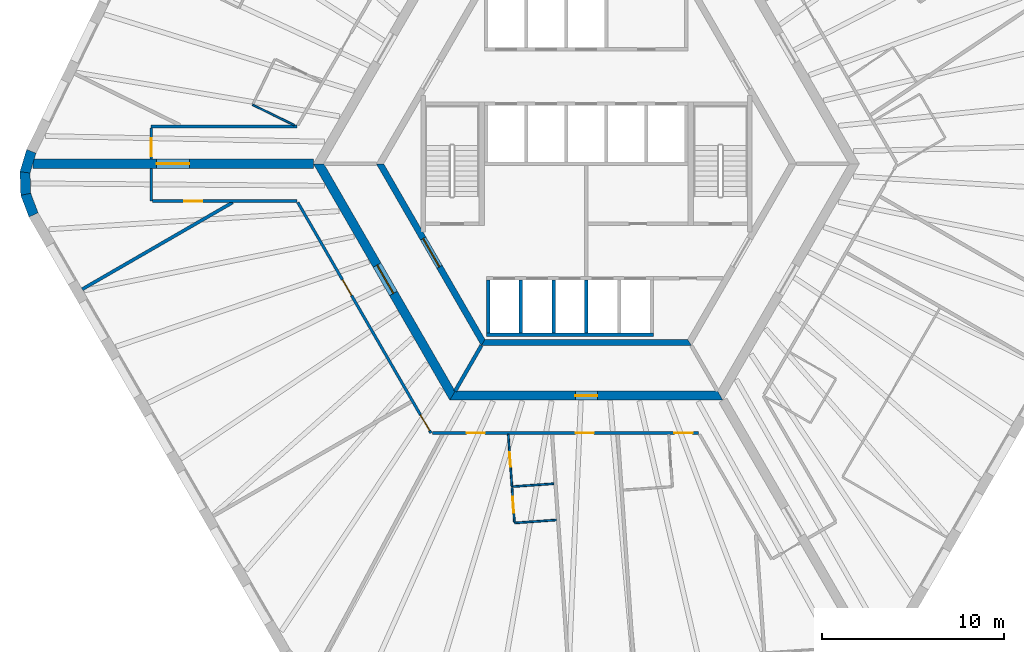
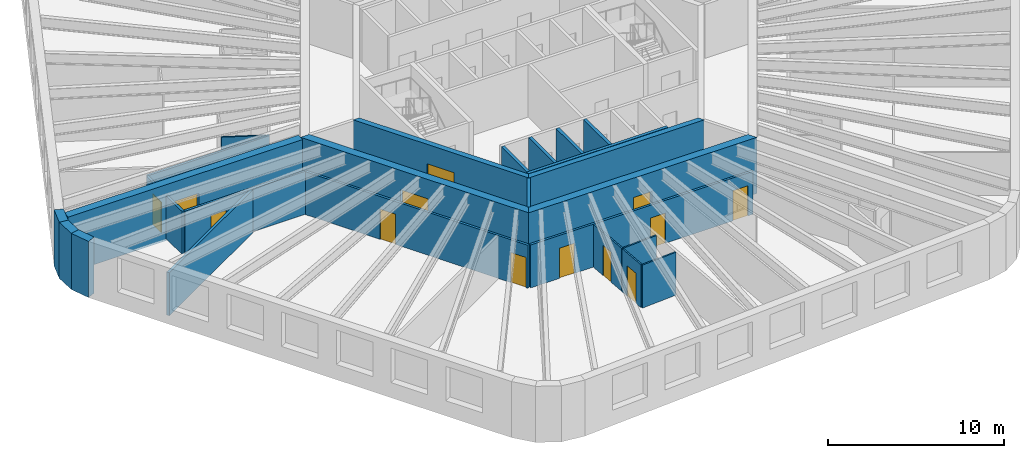
# One storey, part 3 of 9: 26 walls, 13 doors, 13 openings.
"""IFC4 building model written with IfcOpenShell, lengths in metres."""

from ifc_helpers import new_model, si_unit, direction, frame, frame_2d, origin, place, context, subcontext, project, spatial, polyline, rectangle, outline, extrude, material, layer, layer_set, type_object, element, fill, save


model = new_model("IFC4")

# Units and contexts
model_context = context("Model", 3, precision=1e-05, world=origin(), true_north=direction((0.0, 1.0)))
body_context = subcontext(model_context, "Body", "Model", "MODEL_VIEW")
ifc_project = project(units=[si_unit("LENGTHUNIT", "METRE"), si_unit("AREAUNIT", "SQUARE_METRE"), si_unit("VOLUMEUNIT", "CUBIC_METRE"), si_unit("PLANEANGLEUNIT", "RADIAN"), si_unit("MASSUNIT", "GRAM", prefix="KILO")], contexts=[model_context])

# Site, building, storey
site_placement = place(None, origin())
site = spatial("IfcSite", under=ifc_project, at=site_placement, CompositionType="ELEMENT")
building_placement = place(site_placement, origin())
building = spatial("IfcBuilding", under=site, at=building_placement, Name="Tarnside Tower", CompositionType="ELEMENT")
storey_placement = place(building_placement, frame((0.0, 0.0, 222.89990234375)))
storey = spatial("IfcBuildingStorey", under=building, at=storey_placement, Name="L53", CompositionType="ELEMENT", Elevation=222.89990234375)

# Wall
ifc_material_1 = material(Name="Gypsum board partition on steel studs", Category="steel")
ifc_layer_1 = layer(ifc_material_1, 0.10009765625)
ifc_layer_set_1 = layer_set([ifc_layer_1], Name="Bathroom wall 100")
wall_type_1 = type_object("IfcWallType", Name="Bathroom wall 100", PredefinedType="PARTITIONING", material=ifc_layer_set_1)
wall_1_placement = place(storey_placement, frame((-16.059814453125, 2.125, 0.0), z_axis=(0.0, 0.0, 1.0), x_axis=(-0.898792392919, 0.438374536704, 0.0)))
element("IfcWall", 1, at=wall_1_placement, inside=storey, type_object=wall_type_1, Name="Bathroom wall 17060", PredefinedType="PARTITIONING", context=body_context, shape_type="SweptSolid", body=[
    extrude(rectangle(XDim=2.54736328125, YDim=0.10009765625, at=frame_2d((1.273681640625, 0.0))), origin(), (0.0, 0.0, 1.0), 2.98779296875),
])

# Wall, opening, door
wall_2_placement = place(storey_placement, frame((-4.089599609375, -17.751953125, 0.0), z_axis=(0.0, 0.0, 1.0), x_axis=(-0.06975499513, 0.997564153654, 0.0)))
wall_2 = element("IfcWall", 2, at=wall_2_placement, inside=storey, type_object=wall_type_1, Name="Bathroom wall 17069", PredefinedType="PARTITIONING", context=body_context, shape_type="SweptSolid", body=[
    extrude(rectangle(XDim=2.884033203125, YDim=0.10009765625, at=frame_2d((1.44189453125, 0.0))), origin(), (0.0, 0.0, 1.0), 2.98779296875),
])
opening_1_placement = place(wall_2_placement, frame((1.10009765625, 0.0, 0.0)))
opening_1 = element("IfcOpeningElement", 3, at=opening_1_placement, cuts=wall_2, Name="Opening D-B1", PredefinedType="OPENING", context=body_context, shape_type="SweptSolid", body=[
    extrude(rectangle(XDim=0.800048828125, YDim=2.10009765625, at=frame_2d((0.39990234375, 1.050048828125))), frame((0.0, 0.06005859375, 0.0), z_axis=(0.0, -1.0, 0.0), x_axis=(1.0, 0.0, 0.0)), (0.0, 0.0, 1.0), 0.1201171875),
])
ifc_material_2 = material(Name="Timber door leaf", Category="wood")
door_type_1 = type_object("IfcDoorType", Name="Bathroom door 800", OperationType="NOTDEFINED", PredefinedType="DOOR", material=ifc_material_2)
door_1_placement = place(opening_1_placement, origin())
door_1 = element("IfcDoor", 4, at=door_1_placement, inside=storey, type_object=door_type_1, Name="Bathroom door 17017", OperationType="SINGLE_SWING_LEFT", OverallHeight=2.10009765625, OverallWidth=0.800048828125, PredefinedType="DOOR", context=body_context, shape_type="SweptSolid", body=[
    extrude(rectangle(XDim=0.800048828125, YDim=2.10009765625, at=frame_2d((0.39990234375, 1.050048828125))), frame((0.0, 0.02490234375, 0.0), z_axis=(0.0, -1.0, 0.0), x_axis=(1.0, 0.0, 0.0)), (0.0, 0.0, 1.0), 0.050048828125),
])
fill(opening_1, door_1)

# Wall
wall_3_placement = place(storey_placement, frame((-4.039794921875, -17.74853515625, 0.0), z_axis=(0.0, 0.0, 1.0), x_axis=(0.997562351999, 0.069780755754, 0.0)))
element("IfcWall", 5, at=wall_3_placement, inside=storey, type_object=wall_type_1, Name="Bathroom wall 17073", PredefinedType="PARTITIONING", context=body_context, shape_type="SweptSolid", body=[
    extrude(rectangle(XDim=2.26025390625, YDim=0.10009765625, at=frame_2d((1.130126953125, 0.0))), origin(), (0.0, 0.0, 1.0), 2.98779296875),
])

# Wall, opening, door
ifc_material_3 = material(Name="Concrete C50/60", Category="concrete")
ifc_layer_2 = layer(ifc_material_3, 0.35009765625)
ifc_layer_set_2 = layer_set([ifc_layer_2], Name="Core block wall 350 C50/60")
wall_type_2 = type_object("IfcWallType", Name="Core block wall 350 C50/60", PredefinedType="SHEAR", material=ifc_layer_set_2)
wall_4_placement = place(storey_placement, frame((-11.344970703125, 0.0, -0.14990234375), z_axis=(0.0, 0.0, 1.0), x_axis=(0.499995046907, -0.866028263435, 0.0)))
wall_4 = element("IfcWall", 6, at=wall_4_placement, inside=storey, type_object=wall_type_2, Name="L53 core block wall face 3", PredefinedType="SHEAR", context=body_context, shape_type="SweptSolid", body=[
    extrude(outline(polyline([(-0.10107421875, -0.175048828125), (11.44580078125, -0.175048828125), (11.24365234375, 0.175048828125), (0.10107421875, 0.175048828125), (-0.10107421875, -0.175048828125)])), origin(), (0.0, 0.0, 1.0), 3.89990234375),
])
opening_2_placement = place(wall_4_placement, frame((4.74365234375, 0.0, 0.14990234375)))
opening_2 = element("IfcOpeningElement", 7, at=opening_2_placement, cuts=wall_4, Name="Opening CD-FFL", PredefinedType="OPENING", context=body_context, shape_type="SweptSolid", body=[
    extrude(rectangle(XDim=1.800048828125, YDim=2.39990234375, at=frame_2d((0.89990234375, 1.199951171875))), frame((0.0, 0.18505859375, 0.0), z_axis=(0.0, -1.0, 0.0), x_axis=(1.0, 0.0, 0.0)), (0.0, 0.0, 1.0), 0.3701171875),
])
ifc_material_4 = material(Name="Steel fire door", Category="steel")
door_type_2 = type_object("IfcDoorType", Name="Firefighting lobby double door FD60S 1800x2400", OperationType="NOTDEFINED", PredefinedType="DOOR", material=ifc_material_4)
door_2_placement = place(opening_2_placement, origin())
door_2 = element("IfcDoor", 8, at=door_2_placement, inside=storey, type_object=door_type_2, Name="L53 lobby block door P3", OperationType="DOUBLE_DOOR_SINGLE_SWING", OverallHeight=2.39990234375, OverallWidth=1.800048828125, PredefinedType="DOOR", context=body_context, shape_type="SweptSolid", body=[
    extrude(rectangle(XDim=1.800048828125, YDim=2.39990234375, at=frame_2d((0.89990234375, 1.199951171875))), frame((0.0, 0.02490234375, 0.0), z_axis=(0.0, -1.0, 0.0), x_axis=(1.0, 0.0, 0.0)), (0.0, 0.0, 1.0), 0.050048828125),
])
fill(opening_2, door_2)

# Wall
wall_5_placement = place(storey_placement, frame((-5.672607421875, -9.824951171875, -0.14990234375), z_axis=(0.0, 0.0, 1.0), x_axis=(1.0, 0.0, 0.0)))
element("IfcWall", 9, at=wall_5_placement, inside=storey, type_object=wall_type_2, Name="L53 core block wall face 4", PredefinedType="SHEAR", context=body_context, shape_type="SweptSolid", body=[
    extrude(outline(polyline([(-0.10107421875, -0.175048828125), (11.4462890625, -0.175048828125), (11.244140625, 0.175048828125), (0.10107421875, 0.175048828125), (-0.10107421875, -0.175048828125)])), origin(), (0.0, 0.0, 1.0), 3.89990234375),
])

# Wall, opening, door
ifc_material_5 = material(Name="Concrete C70/85", Category="concrete")
ifc_layer_3 = layer(ifc_material_5, 0.5)
ifc_layer_set_3 = layer_set([ifc_layer_3], Name="Core wall Z2 500 C70/85")
wall_type_3 = type_object("IfcWallType", Name="Core wall Z2 500 C70/85", PredefinedType="SHEAR", material=ifc_layer_set_3)
wall_6_placement = place(storey_placement, frame((-14.722412109375, 0.0, -0.14990234375), z_axis=(0.0, 0.0, 1.0), x_axis=(0.50000571537, -0.866022103989, 0.0)))
wall_6 = element("IfcWall", 10, at=wall_6_placement, inside=storey, type_object=wall_type_3, Name="L53 core wall face 3", PredefinedType="SHEAR", context=body_context, shape_type="SweptSolid", body=[
    extrude(outline(polyline([(-0.144287109375, -0.25), (14.86669921875, -0.25), (14.578125, 0.25), (0.144287109375, 0.25), (-0.144287109375, -0.25)])), origin(), (0.0, 0.0, 1.0), 3.89990234375),
])
opening_3_placement = place(wall_6_placement, frame((6.432373046875, 0.0, 0.14990234375)))
opening_3 = element("IfcOpeningElement", 11, at=opening_3_placement, cuts=wall_6, Name="Opening CD-FFL", PredefinedType="OPENING", context=body_context, shape_type="SweptSolid", body=[
    extrude(rectangle(XDim=1.800048828125, YDim=2.39990234375, at=frame_2d((0.89990234375, 1.199951171875))), frame((0.0, 0.260009765625, 0.0), z_axis=(0.0, -1.0, 0.0), x_axis=(1.0, 0.0, 0.0)), (0.0, 0.0, 1.0), 0.52001953125),
])
door_3_placement = place(opening_3_placement, origin())
door_3 = element("IfcDoor", 12, at=door_3_placement, inside=storey, type_object=door_type_2, Name="L53 core door P3", OperationType="DOUBLE_DOOR_SINGLE_SWING", OverallHeight=2.39990234375, OverallWidth=1.800048828125, PredefinedType="DOOR", context=body_context, shape_type="SweptSolid", body=[
    extrude(rectangle(XDim=1.800048828125, YDim=2.39990234375, at=frame_2d((0.89990234375, 1.199951171875))), frame((0.0, 0.02490234375, 0.0), z_axis=(0.0, -1.0, 0.0), x_axis=(1.0, 0.0, 0.0)), (0.0, 0.0, 1.0), 0.050048828125),
])
fill(opening_3, door_3)

wall_7_placement = place(storey_placement, frame((-7.361083984375, -12.75, -0.14990234375), z_axis=(0.0, 0.0, 1.0), x_axis=(1.0, 0.0, 0.0)))
wall_7 = element("IfcWall", 13, at=wall_7_placement, inside=storey, type_object=wall_type_3, Name="L53 core wall face 4", PredefinedType="SHEAR", context=body_context, shape_type="SweptSolid", body=[
    extrude(outline(polyline([(-0.144287109375, -0.25), (14.866455078125, -0.25), (14.577880859375, 0.25), (0.144287109375, 0.25), (-0.144287109375, -0.25)])), origin(), (0.0, 0.0, 1.0), 3.89990234375),
])
opening_4_placement = place(wall_7_placement, frame((6.76123046875, 0.0, 0.14990234375)))
opening_4 = element("IfcOpeningElement", 14, at=opening_4_placement, cuts=wall_7, Name="Opening CD-RSR", PredefinedType="OPENING", context=body_context, shape_type="SweptSolid", body=[
    extrude(rectangle(XDim=1.199951171875, YDim=2.39990234375, at=frame_2d((0.60009765625, 1.199951171875))), frame((0.0, 0.260009765625, 0.0), z_axis=(0.0, -1.0, 0.0), x_axis=(1.0, 0.0, 0.0)), (0.0, 0.0, 1.0), 0.52001953125),
])
door_type_3 = type_object("IfcDoorType", Name="Riser door FD60 1200x2400", OperationType="NOTDEFINED", PredefinedType="DOOR", material=ifc_material_4)
door_4_placement = place(opening_4_placement, origin())
door_4 = element("IfcDoor", 15, at=door_4_placement, inside=storey, type_object=door_type_3, Name="L53 core door S6", OperationType="SINGLE_SWING_LEFT", OverallHeight=2.39990234375, OverallWidth=1.199951171875, PredefinedType="DOOR", context=body_context, shape_type="SweptSolid", body=[
    extrude(rectangle(XDim=1.199951171875, YDim=2.39990234375, at=frame_2d((0.60009765625, 1.199951171875))), frame((0.0, 0.02490234375, 0.0), z_axis=(0.0, -1.0, 0.0), x_axis=(1.0, 0.0, 0.0)), (0.0, 0.0, 1.0), 0.050048828125),
])
fill(opening_4, door_4)

wall_8_placement = place(storey_placement, frame((-15.010986328125, 0.0, -0.14990234375), z_axis=(0.0, 0.0, 1.0), x_axis=(-1.0, 0.0, 0.0)))
wall_8 = element("IfcWall", 16, at=wall_8_placement, inside=storey, type_object=wall_type_3, Name="L53 spine wall 2", PredefinedType="SHEAR", context=body_context, shape_type="SweptSolid", body=[
    extrude(rectangle(XDim=15.423828125, YDim=0.5, at=frame_2d((7.7119140625, 0.0))), origin(), (0.0, 0.0, 1.0), 3.89990234375),
])
opening_5_placement = place(wall_8_placement, frame((6.811767578125, 0.0, 0.14990234375)))
opening_5 = element("IfcOpeningElement", 17, at=opening_5_placement, cuts=wall_8, Name="Opening CD-SPN", PredefinedType="OPENING", context=body_context, shape_type="SweptSolid", body=[
    extrude(rectangle(XDim=1.800048828125, YDim=2.39990234375, at=frame_2d((0.89990234375, 1.199951171875))), frame((0.0, 0.260009765625, 0.0), z_axis=(0.0, -1.0, 0.0), x_axis=(1.0, 0.0, 0.0)), (0.0, 0.0, 1.0), 0.52001953125),
])
door_type_4 = type_object("IfcDoorType", Name="Spine passage double door FD60 1800x2400", OperationType="NOTDEFINED", PredefinedType="DOOR", material=ifc_material_4)
door_5_placement = place(opening_5_placement, origin())
door_5 = element("IfcDoor", 18, at=door_5_placement, inside=storey, type_object=door_type_4, Name="L53 spine passage door 2", OperationType="DOUBLE_DOOR_SINGLE_SWING", OverallHeight=2.39990234375, OverallWidth=1.800048828125, PredefinedType="DOOR", context=body_context, shape_type="SweptSolid", body=[
    extrude(rectangle(XDim=1.800048828125, YDim=2.39990234375, at=frame_2d((0.89990234375, 1.199951171875))), frame((0.0, 0.02490234375, 0.0), z_axis=(0.0, -1.0, 0.0), x_axis=(1.0, 0.0, 0.0)), (0.0, 0.0, 1.0), 0.050048828125),
])
fill(opening_5, door_5)

# Wall
ifc_layer_4 = layer(ifc_material_1, 0.14990234375)
ifc_layer_set_4 = layer_set([ifc_layer_4], Name="Corridor wall 150 EI 60")
wall_type_4 = type_object("IfcWallType", Name="Corridor wall 150 EI 60", PredefinedType="PARTITIONING", material=ifc_layer_set_4)
wall_9_placement = place(storey_placement, frame((-15.906005859375, 2.050048828125, 0.0), z_axis=(0.0, 0.0, 1.0), x_axis=(-1.0, 0.0, 0.0)))
element("IfcWall", 19, at=wall_9_placement, inside=storey, type_object=wall_type_4, Name="Corridor wall 17012", PredefinedType="PARTITIONING", context=body_context, shape_type="SweptSolid", body=[
    extrude(rectangle(XDim=8.016845703125, YDim=0.14990234375, at=frame_2d((4.00830078125, 0.0))), origin(), (0.0, 0.0, 1.0), 2.98779296875),
])

# Wall, opening, door
wall_10_placement = place(storey_placement, frame((-23.9228515625, 1.97509765625, 0.0), z_axis=(0.0, 0.0, 1.0), x_axis=(0.0, -1.0, 0.0)))
wall_10 = element("IfcWall", 20, at=wall_10_placement, inside=storey, type_object=wall_type_4, Name="Corridor wall 17016", PredefinedType="PARTITIONING", context=body_context, shape_type="SweptSolid", body=[
    extrude(rectangle(XDim=1.72509765625, YDim=0.14990234375, at=frame_2d((0.862548828125, 0.0))), origin(), (0.0, 0.0, 1.0), 2.98779296875),
])
opening_6_placement = place(wall_10_placement, frame((0.574951171875, 0.0, 0.0)))
opening_6 = element("IfcOpeningElement", 21, at=opening_6_placement, cuts=wall_10, Name="Opening D-E1", PredefinedType="OPENING", context=body_context, shape_type="SweptSolid", body=[
    extrude(rectangle(XDim=1.0, YDim=2.10009765625, at=frame_2d((0.5, 1.050048828125))), frame((0.0, 0.0849609375, 0.0), z_axis=(0.0, -1.0, 0.0), x_axis=(1.0, 0.0, 0.0)), (0.0, 0.0, 1.0), 0.169921875),
])
door_type_5 = type_object("IfcDoorType", Name="Unit entrance door 1000 FD30S", OperationType="NOTDEFINED", PredefinedType="DOOR", material=ifc_material_2)
door_6_placement = place(opening_6_placement, origin())
door_6 = element("IfcDoor", 22, at=door_6_placement, inside=storey, type_object=door_type_5, Name="Unit door 17012", OperationType="SINGLE_SWING_LEFT", OverallHeight=2.10009765625, OverallWidth=1.0, PredefinedType="DOOR", context=body_context, shape_type="SweptSolid", body=[
    extrude(rectangle(XDim=1.0, YDim=2.10009765625, at=frame_2d((0.5, 1.050048828125))), frame((0.0, 0.02490234375, 0.0), z_axis=(0.0, -1.0, 0.0), x_axis=(1.0, 0.0, 0.0)), (0.0, 0.0, 1.0), 0.050048828125),
])
fill(opening_6, door_6)

# Wall
wall_11_placement = place(storey_placement, frame((-23.9228515625, -0.25, 0.0), z_axis=(0.0, 0.0, 1.0), x_axis=(0.0, -1.0, 0.0)))
element("IfcWall", 23, at=wall_11_placement, inside=storey, type_object=wall_type_4, Name="Corridor wall 17017", PredefinedType="PARTITIONING", context=body_context, shape_type="SweptSolid", body=[
    extrude(rectangle(XDim=1.800048828125, YDim=0.14990234375, at=frame_2d((0.89990234375, 0.0))), origin(), (0.0, 0.0, 1.0), 2.98779296875),
])

# Wall, opening, door
wall_12_placement = place(storey_placement, frame((-23.847900390625, -2.050048828125, 0.0), z_axis=(0.0, 0.0, 1.0), x_axis=(1.0, 0.0, 0.0)))
wall_12 = element("IfcWall", 24, at=wall_12_placement, inside=storey, type_object=wall_type_4, Name="Corridor wall 17018", PredefinedType="PARTITIONING", context=body_context, shape_type="SweptSolid", body=[
    extrude(rectangle(XDim=7.94189453125, YDim=0.14990234375, at=frame_2d((3.970947265625, 0.0))), origin(), (0.0, 0.0, 1.0), 2.98779296875),
])
opening_7_placement = place(wall_12_placement, frame((1.72900390625, 0.0, 0.0)))
opening_7 = element("IfcOpeningElement", 25, at=opening_7_placement, cuts=wall_12, Name="Opening D-E1", PredefinedType="OPENING", context=body_context, shape_type="SweptSolid", body=[
    extrude(rectangle(XDim=1.0, YDim=2.10009765625, at=frame_2d((0.5, 1.050048828125))), frame((0.0, 0.0849609375, 0.0), z_axis=(0.0, -1.0, 0.0), x_axis=(1.0, 0.0, 0.0)), (0.0, 0.0, 1.0), 0.169921875),
])
door_7_placement = place(opening_7_placement, origin())
door_7 = element("IfcDoor", 26, at=door_7_placement, inside=storey, type_object=door_type_5, Name="Unit door 17013", OperationType="SINGLE_SWING_RIGHT", OverallHeight=2.10009765625, OverallWidth=1.0, PredefinedType="DOOR", context=body_context, shape_type="SweptSolid", body=[
    extrude(rectangle(XDim=1.0, YDim=2.10009765625, at=frame_2d((0.5, 1.050048828125))), frame((0.0, 0.02490234375, 0.0), z_axis=(0.0, -1.0, 0.0), x_axis=(1.0, 0.0, 0.0)), (0.0, 0.0, 1.0), 0.050048828125),
])
fill(opening_7, door_7)

# Wall, openings, doors
wall_13_placement = place(storey_placement, frame((-15.86279296875, -2.125, 0.0), z_axis=(0.0, 0.0, 1.0), x_axis=(0.500008833422, -0.866020303746, 0.0)))
wall_13 = element("IfcWall", 27, at=wall_13_placement, inside=storey, type_object=wall_type_4, Name="Corridor wall 17020", PredefinedType="PARTITIONING", context=body_context, shape_type="SweptSolid", body=[
    extrude(rectangle(XDim=14.635986328125, YDim=0.14990234375, at=frame_2d((7.31787109375, 0.0))), origin(), (0.0, 0.0, 1.0), 2.98779296875),
])
opening_8_placement = place(wall_13_placement, frame((4.908935546875, 0.0, 0.0)))
opening_8 = element("IfcOpeningElement", 28, at=opening_8_placement, cuts=wall_13, Name="Opening D-E1", PredefinedType="OPENING", context=body_context, shape_type="SweptSolid", body=[
    extrude(rectangle(XDim=1.0, YDim=2.10009765625, at=frame_2d((0.5, 1.050048828125))), frame((0.0, 0.0849609375, 0.0), z_axis=(0.0, -1.0, 0.0), x_axis=(1.0, 0.0, 0.0)), (0.0, 0.0, 1.0), 0.169921875),
])
opening_9_placement = place(wall_13_placement, frame((13.48583984375, 0.0, 0.0)))
opening_9 = element("IfcOpeningElement", 29, at=opening_9_placement, cuts=wall_13, Name="Opening D-E1", PredefinedType="OPENING", context=body_context, shape_type="SweptSolid", body=[
    extrude(rectangle(XDim=1.0, YDim=2.10009765625, at=frame_2d((0.5, 1.050048828125))), frame((0.0, 0.0849609375, 0.0), z_axis=(0.0, -1.0, 0.0), x_axis=(1.0, 0.0, 0.0)), (0.0, 0.0, 1.0), 0.169921875),
])
door_8_placement = place(opening_8_placement, origin())
door_8 = element("IfcDoor", 30, at=door_8_placement, inside=storey, type_object=door_type_5, Name="Unit door 17014", OperationType="SINGLE_SWING_RIGHT", OverallHeight=2.10009765625, OverallWidth=1.0, PredefinedType="DOOR", context=body_context, shape_type="SweptSolid", body=[
    extrude(rectangle(XDim=1.0, YDim=2.10009765625, at=frame_2d((0.5, 1.050048828125))), frame((0.0, 0.02490234375, 0.0), z_axis=(0.0, -1.0, 0.0), x_axis=(1.0, 0.0, 0.0)), (0.0, 0.0, 1.0), 0.050048828125),
])
fill(opening_8, door_8)
door_9_placement = place(opening_9_placement, origin())
door_9 = element("IfcDoor", 31, at=door_9_placement, inside=storey, type_object=door_type_5, Name="Unit door 17015", OperationType="SINGLE_SWING_LEFT", OverallHeight=2.10009765625, OverallWidth=1.0, PredefinedType="DOOR", context=body_context, shape_type="SweptSolid", body=[
    extrude(rectangle(XDim=1.0, YDim=2.10009765625, at=frame_2d((0.5, 1.050048828125))), frame((0.0, 0.02490234375, 0.0), z_axis=(0.0, -1.0, 0.0), x_axis=(1.0, 0.0, 0.0)), (0.0, 0.0, 1.0), 0.050048828125),
])
fill(opening_9, door_9)

wall_14_placement = place(storey_placement, frame((-8.458251953125, -14.800048828125, 0.0), z_axis=(0.0, 0.0, 1.0), x_axis=(1.0, 0.0, 0.0)))
wall_14 = element("IfcWall", 32, at=wall_14_placement, inside=storey, type_object=wall_type_4, Name="Corridor wall 17022", PredefinedType="PARTITIONING", context=body_context, shape_type="SweptSolid", body=[
    extrude(rectangle(XDim=14.635986328125, YDim=0.14990234375, at=frame_2d((7.31787109375, 0.0))), origin(), (0.0, 0.0, 1.0), 2.98779296875),
])
opening_10_placement = place(wall_14_placement, frame((1.88134765625, 0.0, 0.0)))
opening_10 = element("IfcOpeningElement", 33, at=opening_10_placement, cuts=wall_14, Name="Opening D-E1", PredefinedType="OPENING", context=body_context, shape_type="SweptSolid", body=[
    extrude(rectangle(XDim=1.0, YDim=2.10009765625, at=frame_2d((0.5, 1.050048828125))), frame((0.0, 0.0849609375, 0.0), z_axis=(0.0, -1.0, 0.0), x_axis=(1.0, 0.0, 0.0)), (0.0, 0.0, 1.0), 0.169921875),
])
opening_11_placement = place(wall_14_placement, frame((7.872314453125, 0.0, 0.0)))
opening_11 = element("IfcOpeningElement", 34, at=opening_11_placement, cuts=wall_14, Name="Opening D-E1", PredefinedType="OPENING", context=body_context, shape_type="SweptSolid", body=[
    extrude(rectangle(XDim=1.0, YDim=2.10009765625, at=frame_2d((0.5, 1.050048828125))), frame((0.0, 0.0849609375, 0.0), z_axis=(0.0, -1.0, 0.0), x_axis=(1.0, 0.0, 0.0)), (0.0, 0.0, 1.0), 0.169921875),
])
opening_12_placement = place(wall_14_placement, frame((13.302978515625, 0.0, 0.0)))
opening_12 = element("IfcOpeningElement", 35, at=opening_12_placement, cuts=wall_14, Name="Opening D-E1", PredefinedType="OPENING", context=body_context, shape_type="SweptSolid", body=[
    extrude(rectangle(XDim=1.0, YDim=2.10009765625, at=frame_2d((0.5, 1.050048828125))), frame((0.0, 0.0849609375, 0.0), z_axis=(0.0, -1.0, 0.0), x_axis=(1.0, 0.0, 0.0)), (0.0, 0.0, 1.0), 0.169921875),
])
door_10_placement = place(opening_10_placement, origin())
door_10 = element("IfcDoor", 36, at=door_10_placement, inside=storey, type_object=door_type_5, Name="Unit door 17016", OperationType="SINGLE_SWING_LEFT", OverallHeight=2.10009765625, OverallWidth=1.0, PredefinedType="DOOR", context=body_context, shape_type="SweptSolid", body=[
    extrude(rectangle(XDim=1.0, YDim=2.10009765625, at=frame_2d((0.5, 1.050048828125))), frame((0.0, 0.02490234375, 0.0), z_axis=(0.0, -1.0, 0.0), x_axis=(1.0, 0.0, 0.0)), (0.0, 0.0, 1.0), 0.050048828125),
])
fill(opening_10, door_10)
door_11_placement = place(opening_11_placement, origin())
door_11 = element("IfcDoor", 37, at=door_11_placement, inside=storey, type_object=door_type_5, Name="Unit door 17019", OperationType="SINGLE_SWING_RIGHT", OverallHeight=2.10009765625, OverallWidth=1.0, PredefinedType="DOOR", context=body_context, shape_type="SweptSolid", body=[
    extrude(rectangle(XDim=1.0, YDim=2.10009765625, at=frame_2d((0.5, 1.050048828125))), frame((0.0, 0.02490234375, 0.0), z_axis=(0.0, -1.0, 0.0), x_axis=(1.0, 0.0, 0.0)), (0.0, 0.0, 1.0), 0.050048828125),
])
fill(opening_11, door_11)
door_12_placement = place(opening_12_placement, origin())
door_12 = element("IfcDoor", 38, at=door_12_placement, inside=storey, type_object=door_type_5, Name="Unit door 17020", OperationType="SINGLE_SWING_RIGHT", OverallHeight=2.10009765625, OverallWidth=1.0, PredefinedType="DOOR", context=body_context, shape_type="SweptSolid", body=[
    extrude(rectangle(XDim=1.0, YDim=2.10009765625, at=frame_2d((0.5, 1.050048828125))), frame((0.0, 0.02490234375, 0.0), z_axis=(0.0, -1.0, 0.0), x_axis=(1.0, 0.0, 0.0)), (0.0, 0.0, 1.0), 0.050048828125),
])
fill(opening_12, door_12)

# Walls
ifc_layer_5 = layer(ifc_material_1, 0.179931640625)
ifc_layer_set_5 = layer_set([ifc_layer_5], Name="Demising wall 180 EI 60")
wall_type_5 = type_object("IfcWallType", Name="Demising wall 180 EI 60", PredefinedType="PARTITIONING", material=ifc_layer_set_5)
wall_15_placement = place(storey_placement, frame((-27.71337890625, -6.89892578125, 0.0), z_axis=(0.0, 0.0, 1.0), x_axis=(0.866022070066, 0.500005774125, 0.0)))
element("IfcWall", 39, at=wall_15_placement, inside=storey, type_object=wall_type_5, Name="Demising wall 17066", PredefinedType="PARTITIONING", context=body_context, shape_type="SweptSolid", body=[
    extrude(rectangle(XDim=9.5478515625, YDim=0.179931640625, at=frame_2d((4.77392578125, 0.0))), origin(), (0.0, 0.0, 1.0), 2.98779296875),
])
ifc_material_6 = material(Name="Concrete C40/50", Category="concrete")
ifc_layer_6 = layer(ifc_material_6, 0.199951171875)
ifc_layer_set_6 = layer_set([ifc_layer_6], Name="Lift shaft wall 200 C40/50")
wall_type_6 = type_object("IfcWallType", Name="Lift shaft wall 200 C40/50", PredefinedType="SHEAR", material=ifc_layer_set_6)
wall_16_placement = place(storey_placement, frame((-5.5, -9.39990234375, -0.25), z_axis=(0.0, 0.0, 1.0), x_axis=(1.0, 0.0, 0.0)))
element("IfcWall", 40, at=wall_16_placement, inside=storey, type_object=wall_type_6, Name="L53 lift shaft back wall R4", PredefinedType="SHEAR", context=body_context, shape_type="SweptSolid", body=[
    extrude(rectangle(XDim=9.199951171875, YDim=0.199951171875, at=frame_2d((4.60009765625, 0.0))), origin(), (0.0, 0.0, 1.0), 3.900146484375),
])
for number, where, z_axis, x_axis, name in (
    (41, (-5.39990234375, -9.300048828125, -0.25), (0.0, 0.0, 1.0), (0.0, 1.0, 0.0), "L53 lift shaft partition R41"),
    (42, (-3.60009765625, -9.300048828125, -0.25), (0.0, 0.0, 1.0), (0.0, 1.0, 0.0), "L53 lift shaft partition R42"),
    (43, (-1.800048828125, -9.300048828125, -0.25), (0.0, 0.0, 1.0), (0.0, 1.0, 0.0), "L53 lift shaft partition R43"),
    (44, (0.0, -9.300048828125, -0.25), (0.0, 0.0, 1.0), (0.0, 1.0, 0.0), "L53 lift shaft partition R44"),
):
    element("IfcWall", number, at=place(storey_placement, frame(where, z_axis=z_axis, x_axis=x_axis)), inside=storey, type_object=wall_type_6, Name=name, PredefinedType="SHEAR", context=body_context, shape_type="SweptSolid", body=[
        extrude(rectangle(XDim=2.900146484375, YDim=0.199951171875, at=frame_2d((1.4501953125, 0.0))), origin(), (0.0, 0.0, 1.0), 3.900146484375),
    ])
wall_17_placement = place(storey_placement, frame((-5.7734375, -10.0, -0.14990234375), z_axis=(0.0, 0.0, 1.0), x_axis=(-0.499995765644, -0.866027848477, 0.0)))
element("IfcWall", 45, at=wall_17_placement, inside=storey, type_object=wall_type_6, Name="L53 core partition AR240", PredefinedType="SHEAR", context=body_context, shape_type="SweptSolid", body=[
    extrude(rectangle(XDim=2.88671875, YDim=0.199951171875, at=frame_2d((1.443359375, 0.0))), origin(), (0.0, 0.0, 1.0), 3.89990234375),
])
ifc_layer_7 = layer(ifc_material_1, 0.10009765625)
ifc_layer_set_7 = layer_set([ifc_layer_7], Name="Partition 100")
wall_type_7 = type_object("IfcWallType", Name="Partition 100", PredefinedType="PARTITIONING", material=ifc_layer_set_7)
wall_18_placement = place(storey_placement, frame((-1.645751953125, -19.586181640625, 0.0), z_axis=(0.0, 0.0, 1.0), x_axis=(-0.997564338377, -0.069752353356, 0.0)))
element("IfcWall", 46, at=wall_18_placement, inside=storey, type_object=wall_type_7, Name="Partition wall 17070", PredefinedType="PARTITIONING", context=body_context, shape_type="SweptSolid", body=[
    extrude(rectangle(XDim=2.31005859375, YDim=0.10009765625, at=frame_2d((1.155029296875, 0.0))), origin(), (0.0, 0.0, 1.0), 2.98779296875),
])

# Wall, opening, door
wall_19_placement = place(storey_placement, frame((-3.95361328125, -19.697265625, 0.0), z_axis=(0.0, 0.0, 1.0), x_axis=(-0.069776698601, 0.997562635794, 0.0)))
wall_19 = element("IfcWall", 47, at=wall_19_placement, inside=storey, type_object=wall_type_7, Name="Partition wall 17071", PredefinedType="PARTITIONING", context=body_context, shape_type="SweptSolid", body=[
    extrude(rectangle(XDim=1.89990234375, YDim=0.10009765625, at=frame_2d((0.949951171875, 0.0))), origin(), (0.0, 0.0, 1.0), 2.98779296875),
])
opening_13_placement = place(wall_19_placement, frame((0.5, 0.0, 0.0)))
opening_13 = element("IfcOpeningElement", 48, at=opening_13_placement, cuts=wall_19, Name="Opening D-I1", PredefinedType="OPENING", context=body_context, shape_type="SweptSolid", body=[
    extrude(rectangle(XDim=0.89990234375, YDim=2.10009765625, at=frame_2d((0.449951171875, 1.050048828125))), frame((0.0, 0.06005859375, 0.0), z_axis=(0.0, -1.0, 0.0), x_axis=(1.0, 0.0, 0.0)), (0.0, 0.0, 1.0), 0.1201171875),
])
door_type_6 = type_object("IfcDoorType", Name="Internal door 900", OperationType="NOTDEFINED", PredefinedType="DOOR", material=ifc_material_2)
door_13_placement = place(opening_13_placement, origin())
door_13 = element("IfcDoor", 49, at=door_13_placement, inside=storey, type_object=door_type_6, Name="Internal door 17018", OperationType="SINGLE_SWING_RIGHT", OverallHeight=2.10009765625, OverallWidth=0.89990234375, PredefinedType="DOOR", context=body_context, shape_type="SweptSolid", body=[
    extrude(rectangle(XDim=0.89990234375, YDim=2.10009765625, at=frame_2d((0.449951171875, 1.050048828125))), frame((0.0, 0.02490234375, 0.0), z_axis=(0.0, -1.0, 0.0), x_axis=(1.0, 0.0, 0.0)), (0.0, 0.0, 1.0), 0.050048828125),
])
fill(opening_13, door_13)

# Walls
ifc_material_7 = material(Name="Facing brick", Category="masonry")
ifc_layer_8 = layer(ifc_material_7, 0.10205078125)
ifc_material_8 = material(Name="Concrete C60/75 precast", Category="concrete")
ifc_layer_9 = layer(ifc_material_8, 0.347900390625)
ifc_material_9 = material(Name="Mineral wool insulation")
ifc_layer_10 = layer(ifc_material_9, 0.10009765625)
ifc_layer_set_8 = layer_set([ifc_layer_8, ifc_layer_9, ifc_layer_10], Name="Tube wall 550 brick faced")
wall_type_8 = type_object("IfcWallType", Name="Tube wall 550 brick faced", PredefinedType="SOLIDWALL", material=ifc_layer_set_8)
wall_20_placement = place(storey_placement, frame((-30.51318359375, 0.684326171875, -0.14990234375), z_axis=(0.0, 0.0, 1.0), x_axis=(-0.286736058109, -0.958009620505, 0.0)))
element("IfcWall", 50, at=wall_20_placement, inside=storey, type_object=wall_type_8, Name="Tube wall L53 F2 chord 05", PredefinedType="SOLIDWALL", context=body_context, shape_type="SweptSolid", body=[
    extrude(outline(polyline([(-0.0224609375, -0.27490234375), (1.25341796875, -0.27490234375), (1.1630859375, 0.27490234375), (0.0224609375, 0.27490234375), (-0.0224609375, -0.27490234375)])), origin(), (0.0, 0.0, 1.0), 3.89990234375),
])
wall_21_placement = place(storey_placement, frame((-30.859619140625, -0.47314453125, -0.14990234375), z_axis=(0.0, 0.0, 1.0), x_axis=(0.03495638276, -0.999388838893, 0.0)))
element("IfcWall", 51, at=wall_21_placement, inside=storey, type_object=wall_type_8, Name="Tube wall L53 F2 chord 06", PredefinedType="SOLIDWALL", context=body_context, shape_type="SweptSolid", body=[
    extrude(outline(polyline([(-0.045166015625, -0.27490234375), (1.25341796875, -0.27490234375), (1.1630859375, 0.27490234375), (0.045166015625, 0.27490234375), (-0.045166015625, -0.27490234375)])), origin(), (0.0, 0.0, 1.0), 3.89990234375),
])
wall_22_placement = place(storey_placement, frame((-30.8173828125, -1.6806640625, -0.14990234375), z_axis=(0.0, 0.0, 1.0), x_axis=(0.352850303963, -0.935679786569, 0.0)))
element("IfcWall", 52, at=wall_22_placement, inside=storey, type_object=wall_type_8, Name="Tube wall L53 F2 chord 07", PredefinedType="SOLIDWALL", context=body_context, shape_type="SweptSolid", body=[
    extrude(outline(polyline([(-0.045166015625, -0.27490234375), (1.23046875, -0.27490234375), (1.185546875, 0.27490234375), (0.045166015625, 0.27490234375), (-0.045166015625, -0.27490234375)])), origin(), (0.0, 0.0, 1.0), 3.89990234375),
])

save(model, "model.ifc")
